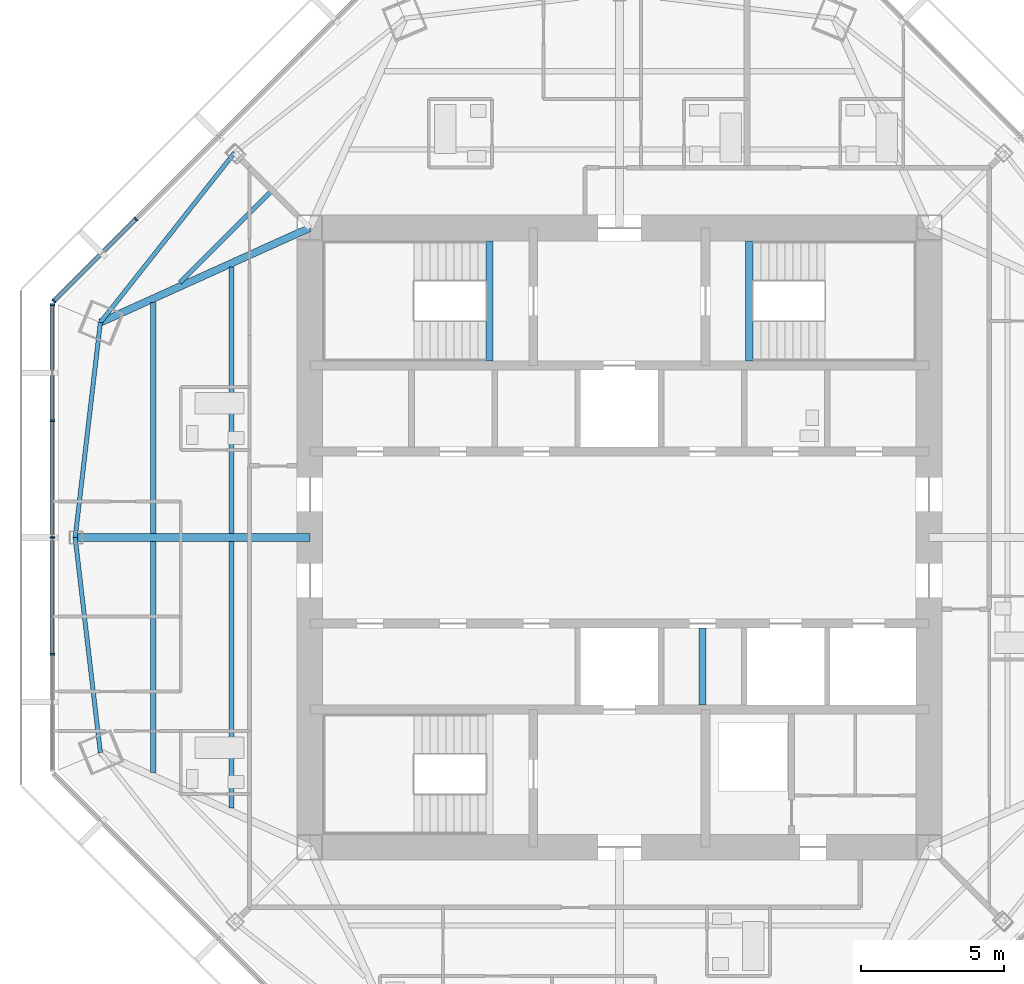
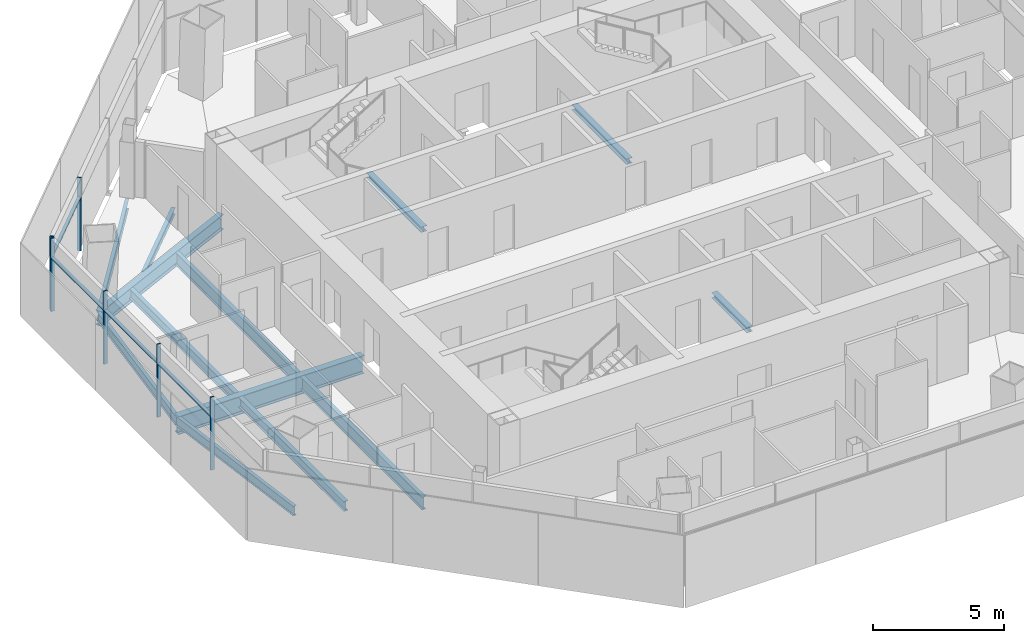
# One storey, part 4 of 15: 13 beams, 10 members, 2 elements without a shape of their own.
"""IFC4 building model written with IfcOpenShell, lengths in metres."""

from ifc_helpers import new_model, si_unit, direction, frame, origin, origin_2d, place, context, subcontext, project, spatial, rectangle, i_section, extrude, source, transform, mapped, material, material_profile, profile_set, type_object, type_shapes, element, aggregate, save


model = new_model("IFC4")

# Units and contexts
model_context = context("Model", 3, precision=1e-05, world=origin(), true_north=direction((0.0, 1.0)))
body_context = subcontext(model_context, "Body", "Model", "MODEL_VIEW")
ifc_project = project(units=[si_unit("LENGTHUNIT", "METRE"), si_unit("AREAUNIT", "SQUARE_METRE"), si_unit("VOLUMEUNIT", "CUBIC_METRE"), si_unit("PLANEANGLEUNIT", "RADIAN"), si_unit("MASSUNIT", "GRAM", prefix="KILO")], contexts=[model_context])

# Site, building, storey
site_placement = place(None, origin())
site = spatial("IfcSite", under=ifc_project, at=site_placement, CompositionType="ELEMENT")
building_placement = place(site_placement, origin())
building = spatial("IfcBuilding", under=site, at=building_placement, Name="Mashrafa Tower", CompositionType="ELEMENT")
storey_placement = place(building_placement, frame((0.0, 0.0, 291.199951171875)))
storey = spatial("IfcBuildingStorey", under=building, at=storey_placement, Name="L71", CompositionType="ELEMENT", Elevation=291.199951171875)

# Beams
ifc_material_1 = material(Name="Steel ASTM A992", Category="steel")
ifc_material_profile_1 = material_profile(ifc_material_1, i_section(OverallWidth=0.164794921875, OverallDepth=0.309814453125, WebThickness=0.005859375, FlangeThickness=0.009765625, FilletRadius=0.007568359375, at=origin_2d()), Name="W12X26")
ifc_profile_set_1 = profile_set([ifc_material_profile_1], Name="Steel ASTM A992")
beam_type_1 = type_object("IfcBeamType", Name="Beam W12X26", PredefinedType="BEAM", material=ifc_profile_set_1)
beam_1_placement = place(storey_placement, frame((-15.32861328125, 8.894287109375, -0.35498046875), z_axis=(0.70713414653, 0.707079414784, 0.0), x_axis=(-0.707079414784, 0.70713414653, 0.0)))
element("IfcBeam", 1, at=beam_1_placement, inside=storey, type_object=beam_type_1, Name="Floor beam L71 003", PredefinedType="BEAM", context=body_context, shape_type="SweptSolid", body=[
    extrude(i_section(OverallWidth=0.164794921875, OverallDepth=0.309814453125, WebThickness=0.005859375, FlangeThickness=0.009765625, FilletRadius=0.007568359375, at=origin_2d()), origin(), (0.0, 0.0, 1.0), 4.460693359375),
])
ifc_material_2 = material(Name="Steel ASTM A992", Category="steel")
ifc_material_profile_2 = material_profile(ifc_material_2, i_section(OverallWidth=0.15234375, OverallDepth=0.449462890625, WebThickness=0.007568359375, FlangeThickness=0.0107421875, FilletRadius=0.01025390625, at=origin_2d()), Name="W18X35")
ifc_profile_set_2 = profile_set([ifc_material_profile_2], Name="Steel ASTM A992")
beam_type_2 = type_object("IfcBeamType", Name="Beam W18X35", PredefinedType="BEAM", material=ifc_profile_set_2)
for number, where, z_axis, x_axis, name in (
    (2, (-18.982666015625, 0.0, -0.4248046875), (0.116310290877, -0.993212925931, 0.0), (0.993212925931, 0.116310290877, 0.0), "Spandrel beam L71 041"),
    (3, (-18.1044921875, 7.4990234375, -0.4248046875), (-0.116310290877, -0.993212925931, 0.0), (0.993212925931, -0.116310290877, 0.0), "Spandrel beam L71 043"),
):
    element("IfcBeam", number, at=place(storey_placement, frame(where, z_axis=z_axis, x_axis=x_axis)), inside=storey, type_object=beam_type_2, Name=name, PredefinedType="BEAM", context=body_context, shape_type="SweptSolid", body=[
        extrude(i_section(OverallWidth=0.15234375, OverallDepth=0.449462890625, WebThickness=0.007568359375, FlangeThickness=0.0107421875, FilletRadius=0.01025390625, at=origin_2d()), origin(), (0.0, 0.0, 1.0), 7.55029296875),
    ])
beam_2_placement = place(storey_placement, frame((-13.4228515625, 13.4228515625, -0.4248046875), z_axis=(-0.620046788418, -0.784564834907, 0.0), x_axis=(0.784564834907, -0.620046788418, 0.0)))
element("IfcBeam", 4, at=beam_2_placement, inside=storey, type_object=beam_type_2, Name="Spandrel beam L71 045", PredefinedType="BEAM", context=body_context, shape_type="SweptSolid", body=[
    extrude(i_section(OverallWidth=0.15234375, OverallDepth=0.449462890625, WebThickness=0.007568359375, FlangeThickness=0.0107421875, FilletRadius=0.01025390625, at=origin_2d()), origin(), (0.0, 0.0, 1.0), 7.550537109375),
])
ifc_material_3 = material(Name="Steel ASTM A992", Category="steel")
ifc_material_profile_3 = material_profile(ifc_material_3, i_section(OverallWidth=0.191162109375, OverallDepth=0.459716796875, WebThickness=0.010009765625, FlangeThickness=0.01611328125, FilletRadius=0.01025390625, at=origin_2d()), Name="W18X55")
ifc_profile_set_3 = profile_set([ifc_material_profile_3], Name="Steel ASTM A992")
beam_type_3 = type_object("IfcBeamType", Name="Beam W18X55", PredefinedType="BEAM", material=ifc_profile_set_3)
for number, where, z_axis, x_axis, name in (
    (5, (-16.255126953125, -8.194091796875, -0.429931640625), (0.0, 1.0, 0.0), (-1.0, 0.0, 0.0), "Floor beam L71 001"),
    (6, (-16.255126953125, 0.14599609375, -0.429931640625), (0.0, 1.0, 0.0), (-1.0, 0.0, 0.0), "Floor beam L71 002"),
):
    element("IfcBeam", number, at=place(storey_placement, frame(where, z_axis=z_axis, x_axis=x_axis)), inside=storey, type_object=beam_type_3, Name=name, PredefinedType="BEAM", context=body_context, shape_type="SweptSolid", body=[
        extrude(i_section(OverallWidth=0.191162109375, OverallDepth=0.459716796875, WebThickness=0.010009765625, FlangeThickness=0.01611328125, FilletRadius=0.01025390625, at=origin_2d()), origin(), (0.0, 0.0, 1.0), 8.048095703125),
    ])
ifc_material_4 = material(Name="Steel ASTM A992", Category="steel")
ifc_material_profile_4 = material_profile(ifc_material_4, i_section(OverallWidth=0.177978515625, OverallDepth=0.599365234375, WebThickness=0.010009765625, FlangeThickness=0.012939453125, FilletRadius=0.012939453125, at=origin_2d()), Name="W24X55")
ifc_profile_set_4 = profile_set([ifc_material_profile_4], Name="Steel ASTM A992")
beam_type_4 = type_object("IfcBeamType", Name="Beam W24X55", PredefinedType="BEAM", material=ifc_profile_set_4)
for number, where, z_axis, x_axis, name in (
    (7, (-13.527587890625, -9.426513671875, -0.499755859375), (0.0, 1.0, 0.0), (-1.0, 0.0, 0.0), "Floor beam L71 004"),
    (8, (-13.527587890625, 0.14599609375, -0.499755859375), (0.0, 1.0, 0.0), (-1.0, 0.0, 0.0), "Floor beam L71 005"),
):
    element("IfcBeam", number, at=place(storey_placement, frame(where, z_axis=z_axis, x_axis=x_axis)), inside=storey, type_object=beam_type_4, Name=name, PredefinedType="BEAM", context=body_context, shape_type="SweptSolid", body=[
        extrude(i_section(OverallWidth=0.177978515625, OverallDepth=0.599365234375, WebThickness=0.010009765625, FlangeThickness=0.012939453125, FilletRadius=0.012939453125, at=origin_2d()), origin(), (0.0, 0.0, 1.0), 9.280517578125),
    ])
ifc_material_5 = material(Name="Steel ASTM A992", Category="steel")
ifc_material_profile_5 = material_profile(ifc_material_5, i_section(OverallWidth=0.256591796875, OverallDepth=0.693359375, WebThickness=0.014404296875, FlangeThickness=0.023681640625, FilletRadius=0.01513671875, at=origin_2d()), Name="W27X114")
ifc_profile_set_5 = profile_set([ifc_material_profile_5], Name="Steel ASTM A992")
beam_type_5 = type_object("IfcBeamType", Name="Beam W27X114", PredefinedType="BEAM", material=ifc_profile_set_5)
beam_3_placement = place(storey_placement, frame((-10.800048828125, 10.800048828125, -0.546630859375), z_axis=(-0.911265534167, -0.411819288328, 0.0), x_axis=(0.411819288328, -0.911265534167, 0.0)))
element("IfcBeam", 9, at=beam_3_placement, inside=storey, type_object=beam_type_5, Name="Radial girder L71 029", PredefinedType="BEAM", context=body_context, shape_type="SweptSolid", body=[
    extrude(i_section(OverallWidth=0.256591796875, OverallDepth=0.693359375, WebThickness=0.014404296875, FlangeThickness=0.023681640625, FilletRadius=0.01513671875, at=origin_2d()), origin(), (0.0, 0.0, 1.0), 8.015625),
])
ifc_material_6 = material(Name="Steel ASTM A992", Category="steel")
ifc_material_profile_6 = material_profile(ifc_material_6, i_section(OverallWidth=0.2919921875, OverallDepth=0.8408203125, WebThickness=0.0146484375, FlangeThickness=0.021728515625, FilletRadius=0.017333984375, at=origin_2d()), Name="W33X130")
ifc_profile_set_6 = profile_set([ifc_material_profile_6], Name="Steel ASTM A992")
beam_type_6 = type_object("IfcBeamType", Name="Beam W33X130", PredefinedType="BEAM", material=ifc_profile_set_6)
beam_4_placement = place(storey_placement, frame((-10.800048828125, 0.0, -0.620361328125), z_axis=(-1.0, 0.0, 0.0), x_axis=(0.0, -1.0, 0.0)))
element("IfcBeam", 10, at=beam_4_placement, inside=storey, type_object=beam_type_6, Name="Radial girder L71 028", PredefinedType="BEAM", context=body_context, shape_type="SweptSolid", body=[
    extrude(i_section(OverallWidth=0.2919921875, OverallDepth=0.8408203125, WebThickness=0.0146484375, FlangeThickness=0.021728515625, FilletRadius=0.017333984375, at=origin_2d()), origin(), (0.0, 0.0, 1.0), 8.1826171875),
])
ifc_material_7 = material(Name="Steel ASTM A992", Category="steel")
ifc_material_profile_7 = material_profile(ifc_material_7, i_section(OverallWidth=0.25390625, OverallDepth=0.25390625, WebThickness=0.008544921875, FlangeThickness=0.01416015625, FilletRadius=0.010009765625, at=origin_2d()), Name="W10X49")
ifc_profile_set_7 = profile_set([ifc_material_profile_7], Name="Steel ASTM A992")
beam_type_7 = type_object("IfcBeamType", Name="Hoistway beam W10X49", PredefinedType="BEAM", material=ifc_profile_set_7)
beam_5_placement = place(storey_placement, frame((2.89990234375, -5.85009765625, -0.326904296875), z_axis=(0.0, 1.0, 0.0), x_axis=(-1.0, 0.0, 0.0)))
element("IfcBeam", 11, at=beam_5_placement, inside=storey, type_object=beam_type_7, Name="Hoistway beam L71 08", PredefinedType="BEAM", context=body_context, shape_type="SweptSolid", body=[
    extrude(i_section(OverallWidth=0.25390625, OverallDepth=0.25390625, WebThickness=0.008544921875, FlangeThickness=0.01416015625, FilletRadius=0.010009765625, at=origin_2d()), origin(), (0.0, 0.0, 1.0), 2.7001953125),
])
for number, where, z_axis, x_axis, name in (
    (12, (-4.530029296875, 6.14990234375, -0.326904296875), (0.0, 1.0, 0.0), (-1.0, 0.0, 0.0), "Stair S1 landing beam L71"),
    (13, (4.530029296875, 6.14990234375, -0.326904296875), (0.0, 1.0, 0.0), (-1.0, 0.0, 0.0), "Stair S2 landing beam L71"),
):
    element("IfcBeam", number, at=place(storey_placement, frame(where, z_axis=z_axis, x_axis=x_axis)), inside=storey, type_object=beam_type_7, Name=name, PredefinedType="BEAM", context=body_context, shape_type="SweptSolid", body=[
        extrude(i_section(OverallWidth=0.25390625, OverallDepth=0.25390625, WebThickness=0.008544921875, FlangeThickness=0.01416015625, FilletRadius=0.010009765625, at=origin_2d()), origin(), (0.0, 0.0, 1.0), 4.2001953125),
    ])

# Curtain wall, members
ifc_material_8 = material(Name="Unitised aluminium curtain wall", Category="aluminium")
curtain_wall_type = type_object("IfcCurtainWallType", Name="Apartment curtain wall, zone 4 CW-D 160 deep", PredefinedType="NOTDEFINED", material=ifc_material_8)
curtain_wall_1_placement = place(storey_placement, origin())
curtain_wall_1 = element("IfcCurtainWall", 14, at=curtain_wall_1_placement, inside=storey, type_object=curtain_wall_type, Name="Apartment curtain wall, zone 4 L71 north-west", PredefinedType="NOTDEFINED")
ifc_material_9 = material(Name="Extruded aluminium mullion", Category="aluminium")
ifc_material_profile_8 = material_profile(ifc_material_9, rectangle(XDim=0.159912109375, YDim=0.06005859375, at=origin_2d()), Name="Mullion 60x160")
ifc_profile_set_8 = profile_set([ifc_material_profile_8], Name="Extruded aluminium mullion")
member_type_1 = type_object("IfcMemberType", Name="Mullion CW-D 60 x 160", PredefinedType="MULLION", material=ifc_profile_set_8)
shared_shape_1 = source(origin(), body_context, "Body", "SweptSolid", [
    extrude(rectangle(XDim=0.159912109375, YDim=0.06005859375, at=origin_2d()), origin(), (0.0, 0.0, 1.0), 3.400146484375),
])
type_shapes(member_type_1, [shared_shape_1])
member_1_placement = place(storey_placement, frame((-16.865478515625, 11.103515625, 0.0), z_axis=(0.0, 0.0, 1.0), x_axis=(0.707106781187, -0.707106781187, 0.0)))
member_1 = element("IfcMember", 15, at=member_1_placement, type_object=member_type_1, Name="CW-D mullion 4", PredefinedType="MULLION", context=body_context, shape_type="MappedRepresentation", body=[
    mapped(shared_shape_1, transform((0.0, 0.0, 0.0))),
])
member_2_placement = place(storey_placement, frame((-19.725341796875, 8.24365234375, 0.0), z_axis=(0.0, 0.0, 1.0), x_axis=(0.707106781187, -0.707106781187, 0.0)))
member_2 = element("IfcMember", 16, at=member_2_placement, type_object=member_type_1, Name="CW-D mullion 5", PredefinedType="MULLION", context=body_context, shape_type="MappedRepresentation", body=[
    mapped(shared_shape_1, transform((0.0, 0.0, 0.0))),
])

curtain_wall_2_placement = place(storey_placement, origin())
curtain_wall_2 = element("IfcCurtainWall", 17, at=curtain_wall_2_placement, inside=storey, type_object=curtain_wall_type, Name="Apartment curtain wall, zone 4 L71 west", PredefinedType="NOTDEFINED")
member_3_placement = place(storey_placement, frame((-19.777099609375, 8.118896484375, 0.0), z_axis=(0.0, 0.0, 1.0), x_axis=(1.0, 0.0, 0.0)))
member_3 = element("IfcMember", 18, at=member_3_placement, type_object=member_type_1, Name="CW-D mullion 1", PredefinedType="MULLION", context=body_context, shape_type="MappedRepresentation", body=[
    mapped(shared_shape_1, transform((0.0, 0.0, 0.0))),
])
member_4_placement = place(storey_placement, frame((-19.777099609375, 4.074462890625, 0.0), z_axis=(0.0, 0.0, 1.0), x_axis=(1.0, 0.0, 0.0)))
member_4 = element("IfcMember", 19, at=member_4_placement, type_object=member_type_1, Name="CW-D mullion 2", PredefinedType="MULLION", context=body_context, shape_type="MappedRepresentation", body=[
    mapped(shared_shape_1, transform((0.0, 0.0, 0.0))),
])
member_5_placement = place(storey_placement, frame((-19.777099609375, 0.0, 0.0), z_axis=(0.0, 0.0, 1.0), x_axis=(1.0, 0.0, 0.0)))
member_5 = element("IfcMember", 20, at=member_5_placement, type_object=member_type_1, Name="CW-D mullion 3", PredefinedType="MULLION", context=body_context, shape_type="MappedRepresentation", body=[
    mapped(shared_shape_1, transform((0.0, 0.0, 0.0))),
])
member_6_placement = place(storey_placement, frame((-19.777099609375, -4.074462890625, 0.0), z_axis=(0.0, 0.0, 1.0), x_axis=(1.0, 0.0, 0.0)))
member_6 = element("IfcMember", 21, at=member_6_placement, type_object=member_type_1, Name="CW-D mullion 4", PredefinedType="MULLION", context=body_context, shape_type="MappedRepresentation", body=[
    mapped(shared_shape_1, transform((0.0, 0.0, 0.0))),
])

# Member
ifc_material_10 = material(Name="Extruded aluminium transom", Category="aluminium")
ifc_material_profile_9 = material_profile(ifc_material_10, rectangle(XDim=0.1279296875, YDim=0.074951171875, at=origin_2d()), Name="Transom 75x128")
ifc_profile_set_9 = profile_set([ifc_material_profile_9], Name="Extruded aluminium transom")
member_type_2 = type_object("IfcMemberType", Name="Transom CW-D 75 x 128", PredefinedType="MULLION", material=ifc_profile_set_9)
shared_shape_2 = source(origin(), body_context, "Body", "SweptSolid", [
    extrude(rectangle(XDim=0.1279296875, YDim=0.074951171875, at=origin_2d()), origin(), (0.0, 0.0, 1.0), 3.984375),
])
member_7_placement = place(storey_placement, frame((-16.88671875, 11.082275390625, 2.5), z_axis=(-0.707106781187, -0.707106781187, 0.0), x_axis=(0.707106781187, -0.707106781187, 0.0)))
member_7 = element("IfcMember", 22, at=member_7_placement, type_object=member_type_2, Name="CW-D transom 4", PredefinedType="MULLION", context=body_context, shape_type="MappedRepresentation", body=[
    mapped(shared_shape_2, transform((0.0, 0.0, 0.0))),
])

aggregate(curtain_wall_1, [member_1, member_2, member_7])

member_8_placement = place(storey_placement, frame((-19.777099609375, 8.0888671875, 2.5), z_axis=(0.0, -1.0, 0.0), x_axis=(1.0, 0.0, 0.0)))
member_8 = element("IfcMember", 23, at=member_8_placement, type_object=member_type_2, Name="CW-D transom 1", PredefinedType="MULLION", context=body_context, shape_type="MappedRepresentation", body=[
    mapped(shared_shape_2, transform((0.0, 0.0, 0.0))),
])

shared_shape_3 = source(origin(), body_context, "Body", "SweptSolid", [
    extrude(rectangle(XDim=0.1279296875, YDim=0.074951171875, at=origin_2d()), origin(), (0.0, 0.0, 1.0), 4.014404296875),
])
type_shapes(member_type_2, [shared_shape_2, shared_shape_3])
member_9_placement = place(storey_placement, frame((-19.777099609375, 4.04443359375, 2.5), z_axis=(0.0, -1.0, 0.0), x_axis=(1.0, 0.0, 0.0)))
member_9 = element("IfcMember", 24, at=member_9_placement, type_object=member_type_2, Name="CW-D transom 2", PredefinedType="MULLION", context=body_context, shape_type="MappedRepresentation", body=[
    mapped(shared_shape_3, transform((0.0, 0.0, 0.0))),
])

member_10_placement = place(storey_placement, frame((-19.777099609375, -0.030029296875, 2.5), z_axis=(0.0, -1.0, 0.0), x_axis=(1.0, 0.0, 0.0)))
member_10 = element("IfcMember", 25, at=member_10_placement, type_object=member_type_2, Name="CW-D transom 3", PredefinedType="MULLION", context=body_context, shape_type="MappedRepresentation", body=[
    mapped(shared_shape_3, transform((0.0, 0.0, 0.0))),
])

aggregate(curtain_wall_2, [member_3, member_4, member_5, member_6, member_8, member_9, member_10])

save(model, "model.ifc")
